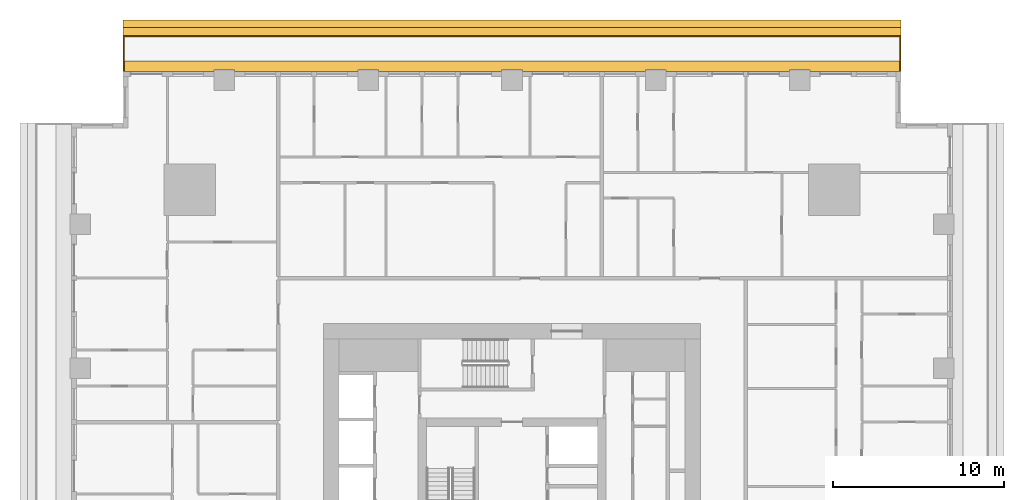
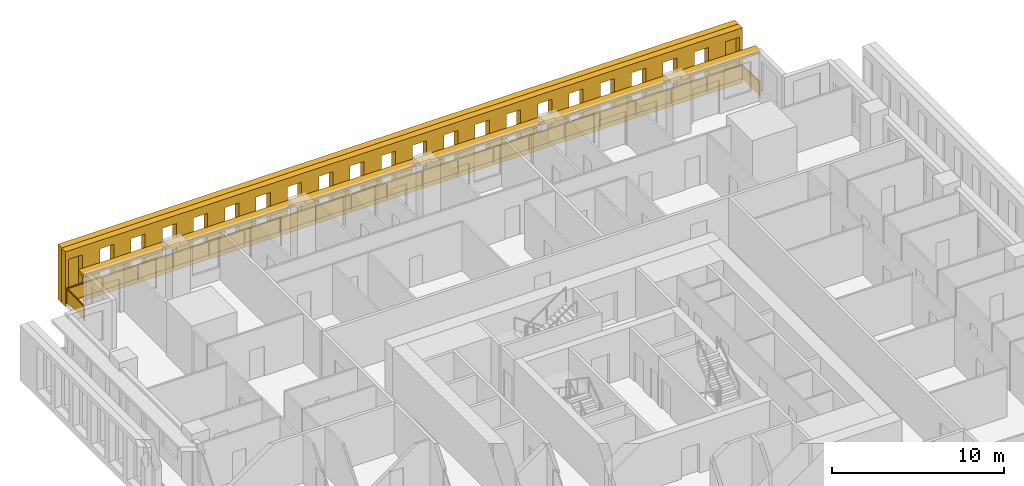
# One storey, part 15 of 15: 3 shading devices, 1 railing.
"""IFC4 building model written with IfcOpenShell, lengths in metres."""

from ifc_helpers import new_model, si_unit, direction, frame, origin, origin_2d, place, context, subcontext, project, spatial, polyline, rectangle, outline, extrude, material, layer, layer_set, type_object, element, save


model = new_model("IFC4")

# Units and contexts
model_context = context("Model", 3, precision=1e-05, world=origin(), true_north=direction((0.0, 1.0)))
body_context = subcontext(model_context, "Body", "Model", "MODEL_VIEW")
ifc_project = project(units=[si_unit("LENGTHUNIT", "METRE"), si_unit("AREAUNIT", "SQUARE_METRE"), si_unit("VOLUMEUNIT", "CUBIC_METRE"), si_unit("PLANEANGLEUNIT", "RADIAN"), si_unit("MASSUNIT", "GRAM", prefix="KILO")], contexts=[model_context])

# Site, building, storey
site_placement = place(None, origin())
site = spatial("IfcSite", under=ifc_project, at=site_placement, CompositionType="ELEMENT")
building_placement = place(site_placement, origin())
building = spatial("IfcBuilding", under=site, at=building_placement, Name="Khepri Terraces", CompositionType="ELEMENT")
storey_placement = place(building_placement, frame((0.0, 0.0, 58.199951171875)))
storey = spatial("IfcBuildingStorey", under=building, at=storey_placement, Name="L13", CompositionType="ELEMENT", Elevation=58.199951171875)

# Railing
ifc_material_1 = material(Name="Stainless steel grade 316", Category="steel")
railing_type = type_object("IfcRailingType", Name="GRD-BAL-1100", PredefinedType="GUARDRAIL", material=ifc_material_1)
railing_placement = place(storey_placement, frame((22.669921875, 25.719970703125, 0.0)))
element("IfcRailing", 1, at=railing_placement, inside=storey, type_object=railing_type, Name="Balcony guard L13 N", PredefinedType="GUARDRAIL", context=body_context, shape_type="SweptSolid", body=[
    extrude(rectangle(XDim=0.050048828125, YDim=0.06005859375, at=origin_2d()), frame((0.0, 0.0, 1.070068359375), z_axis=(0.0, 1.0, 0.0), x_axis=(-1.0, 0.0, 0.0)), (0.0, 0.0, 1.0), 2.050048828125),
    extrude(rectangle(XDim=2.0, YDim=0.011962890625, at=origin_2d()), frame((0.0, 1.02490234375, 0.10009765625), z_axis=(0.0, 0.0, 1.0), x_axis=(0.0, 1.0, 0.0)), (0.0, 0.0, 1.0), 0.93994140625),
    extrude(rectangle(XDim=0.050048828125, YDim=0.06005859375, at=origin_2d()), frame((0.0, 2.050048828125, 1.070068359375), z_axis=(-1.0, 0.0, 0.0), x_axis=(0.0, -1.0, 0.0)), (0.0, 0.0, 1.0), 45.33984375),
    extrude(rectangle(XDim=2.336181640625, YDim=0.011962890625, at=origin_2d()), frame((-1.193115234375, 2.050048828125, 0.10009765625), z_axis=(0.0, 0.0, 1.0), x_axis=(-1.0, 0.0, 0.0)), (0.0, 0.0, 1.0), 0.93994140625),
    extrude(rectangle(XDim=2.336181640625, YDim=0.011962890625, at=origin_2d()), frame((-3.579345703125, 2.050048828125, 0.10009765625), z_axis=(0.0, 0.0, 1.0), x_axis=(-1.0, 0.0, 0.0)), (0.0, 0.0, 1.0), 0.93994140625),
    extrude(rectangle(XDim=2.336181640625, YDim=0.011962890625, at=origin_2d()), frame((-5.9658203125, 2.050048828125, 0.10009765625), z_axis=(0.0, 0.0, 1.0), x_axis=(-1.0, 0.0, 0.0)), (0.0, 0.0, 1.0), 0.93994140625),
    extrude(rectangle(XDim=2.336181640625, YDim=0.011962890625, at=origin_2d()), frame((-8.35205078125, 2.050048828125, 0.10009765625), z_axis=(0.0, 0.0, 1.0), x_axis=(-1.0, 0.0, 0.0)), (0.0, 0.0, 1.0), 0.93994140625),
    extrude(rectangle(XDim=2.336181640625, YDim=0.011962890625, at=origin_2d()), frame((-10.73828125, 2.050048828125, 0.10009765625), z_axis=(0.0, 0.0, 1.0), x_axis=(-1.0, 0.0, 0.0)), (0.0, 0.0, 1.0), 0.93994140625),
    extrude(rectangle(XDim=2.336181640625, YDim=0.011962890625, at=origin_2d()), frame((-13.124755859375, 2.050048828125, 0.10009765625), z_axis=(0.0, 0.0, 1.0), x_axis=(-1.0, 0.0, 0.0)), (0.0, 0.0, 1.0), 0.93994140625),
    extrude(rectangle(XDim=2.336181640625, YDim=0.011962890625, at=origin_2d()), frame((-15.510986328125, 2.050048828125, 0.10009765625), z_axis=(0.0, 0.0, 1.0), x_axis=(-1.0, 0.0, 0.0)), (0.0, 0.0, 1.0), 0.93994140625),
    extrude(rectangle(XDim=2.336181640625, YDim=0.011962890625, at=origin_2d()), frame((-17.897216796875, 2.050048828125, 0.10009765625), z_axis=(0.0, 0.0, 1.0), x_axis=(-1.0, 0.0, 0.0)), (0.0, 0.0, 1.0), 0.93994140625),
    extrude(rectangle(XDim=2.336181640625, YDim=0.011962890625, at=origin_2d()), frame((-20.28369140625, 2.050048828125, 0.10009765625), z_axis=(0.0, 0.0, 1.0), x_axis=(-1.0, 0.0, 0.0)), (0.0, 0.0, 1.0), 0.93994140625),
    extrude(rectangle(XDim=2.336181640625, YDim=0.011962890625, at=origin_2d()), frame((-22.669921875, 2.050048828125, 0.10009765625), z_axis=(0.0, 0.0, 1.0), x_axis=(-1.0, 0.0, 0.0)), (0.0, 0.0, 1.0), 0.93994140625),
    extrude(rectangle(XDim=2.336181640625, YDim=0.011962890625, at=origin_2d()), frame((-25.05615234375, 2.050048828125, 0.10009765625), z_axis=(0.0, 0.0, 1.0), x_axis=(-1.0, 0.0, 0.0)), (0.0, 0.0, 1.0), 0.93994140625),
    extrude(rectangle(XDim=2.336181640625, YDim=0.011962890625, at=origin_2d()), frame((-27.442626953125, 2.050048828125, 0.10009765625), z_axis=(0.0, 0.0, 1.0), x_axis=(-1.0, 0.0, 0.0)), (0.0, 0.0, 1.0), 0.93994140625),
    extrude(rectangle(XDim=2.336181640625, YDim=0.011962890625, at=origin_2d()), frame((-29.828857421875, 2.050048828125, 0.10009765625), z_axis=(0.0, 0.0, 1.0), x_axis=(-1.0, 0.0, 0.0)), (0.0, 0.0, 1.0), 0.93994140625),
    extrude(rectangle(XDim=2.336181640625, YDim=0.011962890625, at=origin_2d()), frame((-32.215087890625, 2.050048828125, 0.10009765625), z_axis=(0.0, 0.0, 1.0), x_axis=(-1.0, 0.0, 0.0)), (0.0, 0.0, 1.0), 0.93994140625),
    extrude(rectangle(XDim=2.336181640625, YDim=0.011962890625, at=origin_2d()), frame((-34.6015625, 2.050048828125, 0.10009765625), z_axis=(0.0, 0.0, 1.0), x_axis=(-1.0, 0.0, 0.0)), (0.0, 0.0, 1.0), 0.93994140625),
    extrude(rectangle(XDim=2.336181640625, YDim=0.011962890625, at=origin_2d()), frame((-36.98779296875, 2.050048828125, 0.10009765625), z_axis=(0.0, 0.0, 1.0), x_axis=(-1.0, 0.0, 0.0)), (0.0, 0.0, 1.0), 0.93994140625),
    extrude(rectangle(XDim=2.336181640625, YDim=0.011962890625, at=origin_2d()), frame((-39.3740234375, 2.050048828125, 0.10009765625), z_axis=(0.0, 0.0, 1.0), x_axis=(-1.0, 0.0, 0.0)), (0.0, 0.0, 1.0), 0.93994140625),
    extrude(rectangle(XDim=2.336181640625, YDim=0.011962890625, at=origin_2d()), frame((-41.760498046875, 2.050048828125, 0.10009765625), z_axis=(0.0, 0.0, 1.0), x_axis=(-1.0, 0.0, 0.0)), (0.0, 0.0, 1.0), 0.93994140625),
    extrude(rectangle(XDim=2.336181640625, YDim=0.011962890625, at=origin_2d()), frame((-44.146728515625, 2.050048828125, 0.10009765625), z_axis=(0.0, 0.0, 1.0), x_axis=(-1.0, 0.0, 0.0)), (0.0, 0.0, 1.0), 0.93994140625),
    extrude(rectangle(XDim=0.050048828125, YDim=0.06005859375, at=origin_2d()), frame((-45.33984375, 2.050048828125, 1.070068359375), z_axis=(0.0, -1.0, 0.0), x_axis=(1.0, 0.0, 0.0)), (0.0, 0.0, 1.0), 2.050048828125),
    extrude(rectangle(XDim=2.0, YDim=0.011962890625, at=origin_2d()), frame((-45.33984375, 1.02490234375, 0.10009765625), z_axis=(0.0, 0.0, 1.0), x_axis=(0.0, -1.0, 0.0)), (0.0, 0.0, 1.0), 0.93994140625),
    extrude(rectangle(XDim=0.050048828125, YDim=0.050048828125, at=origin_2d()), origin(), (0.0, 0.0, 1.0), 1.0400390625),
    extrude(rectangle(XDim=0.050048828125, YDim=0.050048828125, at=origin_2d()), frame((0.0, 2.050048828125, 0.0)), (0.0, 0.0, 1.0), 1.0400390625),
    extrude(rectangle(XDim=0.050048828125, YDim=0.050048828125, at=origin_2d()), frame((-2.38623046875, 2.050048828125, 0.0)), (0.0, 0.0, 1.0), 1.0400390625),
    extrude(rectangle(XDim=0.050048828125, YDim=0.050048828125, at=origin_2d()), frame((-4.772705078125, 2.050048828125, 0.0)), (0.0, 0.0, 1.0), 1.0400390625),
    extrude(rectangle(XDim=0.050048828125, YDim=0.050048828125, at=origin_2d()), frame((-7.158935546875, 2.050048828125, 0.0)), (0.0, 0.0, 1.0), 1.0400390625),
    extrude(rectangle(XDim=0.050048828125, YDim=0.050048828125, at=origin_2d()), frame((-9.545166015625, 2.050048828125, 0.0)), (0.0, 0.0, 1.0), 1.0400390625),
    extrude(rectangle(XDim=0.050048828125, YDim=0.050048828125, at=origin_2d()), frame((-11.931640625, 2.050048828125, 0.0)), (0.0, 0.0, 1.0), 1.0400390625),
    extrude(rectangle(XDim=0.050048828125, YDim=0.050048828125, at=origin_2d()), frame((-14.31787109375, 2.050048828125, 0.0)), (0.0, 0.0, 1.0), 1.0400390625),
    extrude(rectangle(XDim=0.050048828125, YDim=0.050048828125, at=origin_2d()), frame((-16.7041015625, 2.050048828125, 0.0)), (0.0, 0.0, 1.0), 1.0400390625),
    extrude(rectangle(XDim=0.050048828125, YDim=0.050048828125, at=origin_2d()), frame((-19.090576171875, 2.050048828125, 0.0)), (0.0, 0.0, 1.0), 1.0400390625),
    extrude(rectangle(XDim=0.050048828125, YDim=0.050048828125, at=origin_2d()), frame((-21.476806640625, 2.050048828125, 0.0)), (0.0, 0.0, 1.0), 1.0400390625),
    extrude(rectangle(XDim=0.050048828125, YDim=0.050048828125, at=origin_2d()), frame((-23.863037109375, 2.050048828125, 0.0)), (0.0, 0.0, 1.0), 1.0400390625),
    extrude(rectangle(XDim=0.050048828125, YDim=0.050048828125, at=origin_2d()), frame((-26.249267578125, 2.050048828125, 0.0)), (0.0, 0.0, 1.0), 1.0400390625),
    extrude(rectangle(XDim=0.050048828125, YDim=0.050048828125, at=origin_2d()), frame((-28.6357421875, 2.050048828125, 0.0)), (0.0, 0.0, 1.0), 1.0400390625),
    extrude(rectangle(XDim=0.050048828125, YDim=0.050048828125, at=origin_2d()), frame((-31.02197265625, 2.050048828125, 0.0)), (0.0, 0.0, 1.0), 1.0400390625),
    extrude(rectangle(XDim=0.050048828125, YDim=0.050048828125, at=origin_2d()), frame((-33.408203125, 2.050048828125, 0.0)), (0.0, 0.0, 1.0), 1.0400390625),
    extrude(rectangle(XDim=0.050048828125, YDim=0.050048828125, at=origin_2d()), frame((-35.794677734375, 2.050048828125, 0.0)), (0.0, 0.0, 1.0), 1.0400390625),
    extrude(rectangle(XDim=0.050048828125, YDim=0.050048828125, at=origin_2d()), frame((-38.180908203125, 2.050048828125, 0.0)), (0.0, 0.0, 1.0), 1.0400390625),
    extrude(rectangle(XDim=0.050048828125, YDim=0.050048828125, at=origin_2d()), frame((-40.567138671875, 2.050048828125, 0.0)), (0.0, 0.0, 1.0), 1.0400390625),
    extrude(rectangle(XDim=0.050048828125, YDim=0.050048828125, at=origin_2d()), frame((-42.95361328125, 2.050048828125, 0.0)), (0.0, 0.0, 1.0), 1.0400390625),
    extrude(rectangle(XDim=0.050048828125, YDim=0.050048828125, at=origin_2d()), frame((-45.33984375, 2.050048828125, 0.0)), (0.0, 0.0, 1.0), 1.0400390625),
    extrude(rectangle(XDim=0.050048828125, YDim=0.050048828125, at=origin_2d()), frame((-45.33984375, 0.0, 0.0)), (0.0, 0.0, 1.0), 1.0400390625),
])

# Shading devices
ifc_material_2 = material(Name="Precast concrete C50/60 warm stone", Category="masonry")
shading_device_type_1 = type_object("IfcShadingDeviceType", Name="SCR-CELL-INNER-450", PredefinedType="USERDEFINED", material=ifc_material_2)
shading_device_1_placement = place(storey_placement, frame((22.719970703125, 27.820068359375, -0.25), z_axis=(0.0, 1.0, 0.0), x_axis=(-1.0, 0.0, 0.0)))
element("IfcShadingDevice", 2, at=shading_device_1_placement, inside=storey, type_object=shading_device_type_1, Name="Cell screen L13 N in", ObjectType="SCREEN", PredefinedType="USERDEFINED", context=body_context, shape_type="SweptSolid", body=[
    extrude(outline(polyline([(0.0, 0.0), (45.43994140625, 0.0), (45.43994140625, 3.89990234375), (0.0, 3.89990234375), (0.0, 0.0)]), holes=[polyline([(0.197509765625, 0.699951171875), (1.142578125, 0.699951171875), (1.142578125, 3.300048828125), (0.197509765625, 3.300048828125), (0.197509765625, 0.699951171875)]), polyline([(2.297607421875, 0.699951171875), (3.242431640625, 0.699951171875), (3.242431640625, 3.300048828125), (2.297607421875, 3.300048828125), (2.297607421875, 0.699951171875)]), polyline([(4.3974609375, 0.699951171875), (5.342529296875, 0.699951171875), (5.342529296875, 3.300048828125), (4.3974609375, 3.300048828125), (4.3974609375, 0.699951171875)]), polyline([(6.49755859375, 0.699951171875), (7.4423828125, 0.699951171875), (7.4423828125, 3.300048828125), (6.49755859375, 3.300048828125), (6.49755859375, 0.699951171875)]), polyline([(8.597412109375, 0.699951171875), (9.54248046875, 0.699951171875), (9.54248046875, 3.300048828125), (8.597412109375, 3.300048828125), (8.597412109375, 0.699951171875)]), polyline([(10.697509765625, 0.699951171875), (11.642578125, 0.699951171875), (11.642578125, 3.300048828125), (10.697509765625, 3.300048828125), (10.697509765625, 0.699951171875)]), polyline([(12.797607421875, 0.699951171875), (13.742431640625, 0.699951171875), (13.742431640625, 3.300048828125), (12.797607421875, 3.300048828125), (12.797607421875, 0.699951171875)]), polyline([(14.8974609375, 0.699951171875), (15.842529296875, 0.699951171875), (15.842529296875, 3.300048828125), (14.8974609375, 3.300048828125), (14.8974609375, 0.699951171875)]), polyline([(16.99755859375, 0.699951171875), (17.9423828125, 0.699951171875), (17.9423828125, 3.300048828125), (16.99755859375, 3.300048828125), (16.99755859375, 0.699951171875)]), polyline([(19.097412109375, 0.699951171875), (20.04248046875, 0.699951171875), (20.04248046875, 3.300048828125), (19.097412109375, 3.300048828125), (19.097412109375, 0.699951171875)]), polyline([(21.197509765625, 0.699951171875), (22.142578125, 0.699951171875), (22.142578125, 3.300048828125), (21.197509765625, 3.300048828125), (21.197509765625, 0.699951171875)]), polyline([(23.297607421875, 0.699951171875), (24.242431640625, 0.699951171875), (24.242431640625, 3.300048828125), (23.297607421875, 3.300048828125), (23.297607421875, 0.699951171875)]), polyline([(25.3974609375, 0.699951171875), (26.342529296875, 0.699951171875), (26.342529296875, 3.300048828125), (25.3974609375, 3.300048828125), (25.3974609375, 0.699951171875)]), polyline([(27.49755859375, 0.699951171875), (28.4423828125, 0.699951171875), (28.4423828125, 3.300048828125), (27.49755859375, 3.300048828125), (27.49755859375, 0.699951171875)]), polyline([(29.597412109375, 0.699951171875), (30.54248046875, 0.699951171875), (30.54248046875, 3.300048828125), (29.597412109375, 3.300048828125), (29.597412109375, 0.699951171875)]), polyline([(31.697509765625, 0.699951171875), (32.642578125, 0.699951171875), (32.642578125, 3.300048828125), (31.697509765625, 3.300048828125), (31.697509765625, 0.699951171875)]), polyline([(33.797607421875, 0.699951171875), (34.742431640625, 0.699951171875), (34.742431640625, 3.300048828125), (33.797607421875, 3.300048828125), (33.797607421875, 0.699951171875)]), polyline([(35.8974609375, 0.699951171875), (36.842529296875, 0.699951171875), (36.842529296875, 3.300048828125), (35.8974609375, 3.300048828125), (35.8974609375, 0.699951171875)]), polyline([(37.99755859375, 0.699951171875), (38.9423828125, 0.699951171875), (38.9423828125, 3.300048828125), (37.99755859375, 3.300048828125), (37.99755859375, 0.699951171875)]), polyline([(40.097412109375, 0.699951171875), (41.04248046875, 0.699951171875), (41.04248046875, 3.300048828125), (40.097412109375, 3.300048828125), (40.097412109375, 0.699951171875)]), polyline([(42.197509765625, 0.699951171875), (43.142578125, 0.699951171875), (43.142578125, 3.300048828125), (42.197509765625, 3.300048828125), (42.197509765625, 0.699951171875)]), polyline([(44.297607421875, 0.699951171875), (45.242431640625, 0.699951171875), (45.242431640625, 3.300048828125), (44.297607421875, 3.300048828125), (44.297607421875, 0.699951171875)])]), origin(), (0.0, 0.0, 1.0), 0.449951171875),
])
shading_device_type_2 = type_object("IfcShadingDeviceType", Name="SCR-CELL-OUTER-450", PredefinedType="USERDEFINED", material=ifc_material_2)
shading_device_2_placement = place(storey_placement, frame((22.719970703125, 28.27001953125, -0.25), z_axis=(0.0, 1.0, 0.0), x_axis=(-1.0, 0.0, 0.0)))
element("IfcShadingDevice", 3, at=shading_device_2_placement, inside=storey, type_object=shading_device_type_2, Name="Cell screen L13 N out", ObjectType="SCREEN", PredefinedType="USERDEFINED", context=body_context, shape_type="SweptSolid", body=[
    extrude(outline(polyline([(0.0, 0.0), (45.43994140625, 0.0), (45.43994140625, 3.89990234375), (0.0, 3.89990234375), (0.0, 0.0)]), holes=[polyline([(1.947509765625, 0.449951171875), (3.592529296875, 0.449951171875), (3.592529296875, 3.550048828125), (1.947509765625, 3.550048828125), (1.947509765625, 0.449951171875)]), polyline([(4.047607421875, 0.449951171875), (5.6923828125, 0.449951171875), (5.6923828125, 3.550048828125), (4.047607421875, 3.550048828125), (4.047607421875, 0.449951171875)]), polyline([(6.1474609375, 0.449951171875), (7.79248046875, 0.449951171875), (7.79248046875, 3.550048828125), (6.1474609375, 3.550048828125), (6.1474609375, 0.449951171875)]), polyline([(8.24755859375, 0.449951171875), (9.892578125, 0.449951171875), (9.892578125, 3.550048828125), (8.24755859375, 3.550048828125), (8.24755859375, 0.449951171875)]), polyline([(10.347412109375, 0.449951171875), (11.992431640625, 0.449951171875), (11.992431640625, 3.550048828125), (10.347412109375, 3.550048828125), (10.347412109375, 0.449951171875)]), polyline([(12.447509765625, 0.449951171875), (14.092529296875, 0.449951171875), (14.092529296875, 3.550048828125), (12.447509765625, 3.550048828125), (12.447509765625, 0.449951171875)]), polyline([(14.547607421875, 0.449951171875), (16.1923828125, 0.449951171875), (16.1923828125, 3.550048828125), (14.547607421875, 3.550048828125), (14.547607421875, 0.449951171875)]), polyline([(16.6474609375, 0.449951171875), (18.29248046875, 0.449951171875), (18.29248046875, 3.550048828125), (16.6474609375, 3.550048828125), (16.6474609375, 0.449951171875)]), polyline([(18.74755859375, 0.449951171875), (20.392578125, 0.449951171875), (20.392578125, 3.550048828125), (18.74755859375, 3.550048828125), (18.74755859375, 0.449951171875)]), polyline([(20.847412109375, 0.449951171875), (22.492431640625, 0.449951171875), (22.492431640625, 3.550048828125), (20.847412109375, 3.550048828125), (20.847412109375, 0.449951171875)]), polyline([(22.947509765625, 0.449951171875), (24.592529296875, 0.449951171875), (24.592529296875, 3.550048828125), (22.947509765625, 3.550048828125), (22.947509765625, 0.449951171875)]), polyline([(25.047607421875, 0.449951171875), (26.6923828125, 0.449951171875), (26.6923828125, 3.550048828125), (25.047607421875, 3.550048828125), (25.047607421875, 0.449951171875)]), polyline([(27.1474609375, 0.449951171875), (28.79248046875, 0.449951171875), (28.79248046875, 3.550048828125), (27.1474609375, 3.550048828125), (27.1474609375, 0.449951171875)]), polyline([(29.24755859375, 0.449951171875), (30.892578125, 0.449951171875), (30.892578125, 3.550048828125), (29.24755859375, 3.550048828125), (29.24755859375, 0.449951171875)]), polyline([(31.347412109375, 0.449951171875), (32.992431640625, 0.449951171875), (32.992431640625, 3.550048828125), (31.347412109375, 3.550048828125), (31.347412109375, 0.449951171875)]), polyline([(33.447509765625, 0.449951171875), (35.092529296875, 0.449951171875), (35.092529296875, 3.550048828125), (33.447509765625, 3.550048828125), (33.447509765625, 0.449951171875)]), polyline([(35.547607421875, 0.449951171875), (37.1923828125, 0.449951171875), (37.1923828125, 3.550048828125), (35.547607421875, 3.550048828125), (35.547607421875, 0.449951171875)]), polyline([(37.6474609375, 0.449951171875), (39.29248046875, 0.449951171875), (39.29248046875, 3.550048828125), (37.6474609375, 3.550048828125), (37.6474609375, 0.449951171875)]), polyline([(39.74755859375, 0.449951171875), (41.392578125, 0.449951171875), (41.392578125, 3.550048828125), (39.74755859375, 3.550048828125), (39.74755859375, 0.449951171875)]), polyline([(41.847412109375, 0.449951171875), (43.492431640625, 0.449951171875), (43.492431640625, 3.550048828125), (41.847412109375, 3.550048828125), (41.847412109375, 0.449951171875)])]), origin(), (0.0, 0.0, 1.0), 0.449951171875),
])
ifc_layer = layer(ifc_material_2, 0.199951171875, Name="Precast concrete C50/60 warm stone", Category="masonry")
ifc_layer_set = layer_set([ifc_layer], Name="Precast concrete C50/60 warm stone")
shading_device_type_3 = type_object("IfcShadingDeviceType", Name="SSH-BAND-STONE-200-N", PredefinedType="USERDEFINED", material=ifc_layer_set)
shading_device_3_placement = place(storey_placement, frame((0.0, 0.0, 3.10009765625)))
element("IfcShadingDevice", 4, at=shading_device_3_placement, inside=storey, type_object=shading_device_type_3, Name="Sunshade band L13 N", ObjectType="SUNSHADE", PredefinedType="USERDEFINED", context=body_context, shape_type="SweptSolid", body=[
    extrude(outline(polyline([(17.39990234375, 25.719970703125), (22.719970703125, 25.719970703125), (22.719970703125, 26.320068359375), (-22.719970703125, 26.320068359375), (-22.719970703125, 25.719970703125), (-17.39990234375, 25.719970703125), (-17.39990234375, 25.800048828125), (-16.199951171875, 25.800048828125), (-16.199951171875, 25.719970703125), (-9.0, 25.719970703125), (-9.0, 25.800048828125), (-7.800048828125, 25.800048828125), (-7.800048828125, 25.719970703125), (-0.60009765625, 25.719970703125), (-0.60009765625, 25.800048828125), (0.60009765625, 25.800048828125), (0.60009765625, 25.719970703125), (7.800048828125, 25.719970703125), (7.800048828125, 25.800048828125), (9.0, 25.800048828125), (9.0, 25.719970703125), (16.199951171875, 25.719970703125), (16.199951171875, 25.800048828125), (17.39990234375, 25.800048828125), (17.39990234375, 25.719970703125)])), origin(), (0.0, 0.0, 1.0), 0.199951171875),
])

save(model, "model.ifc")
